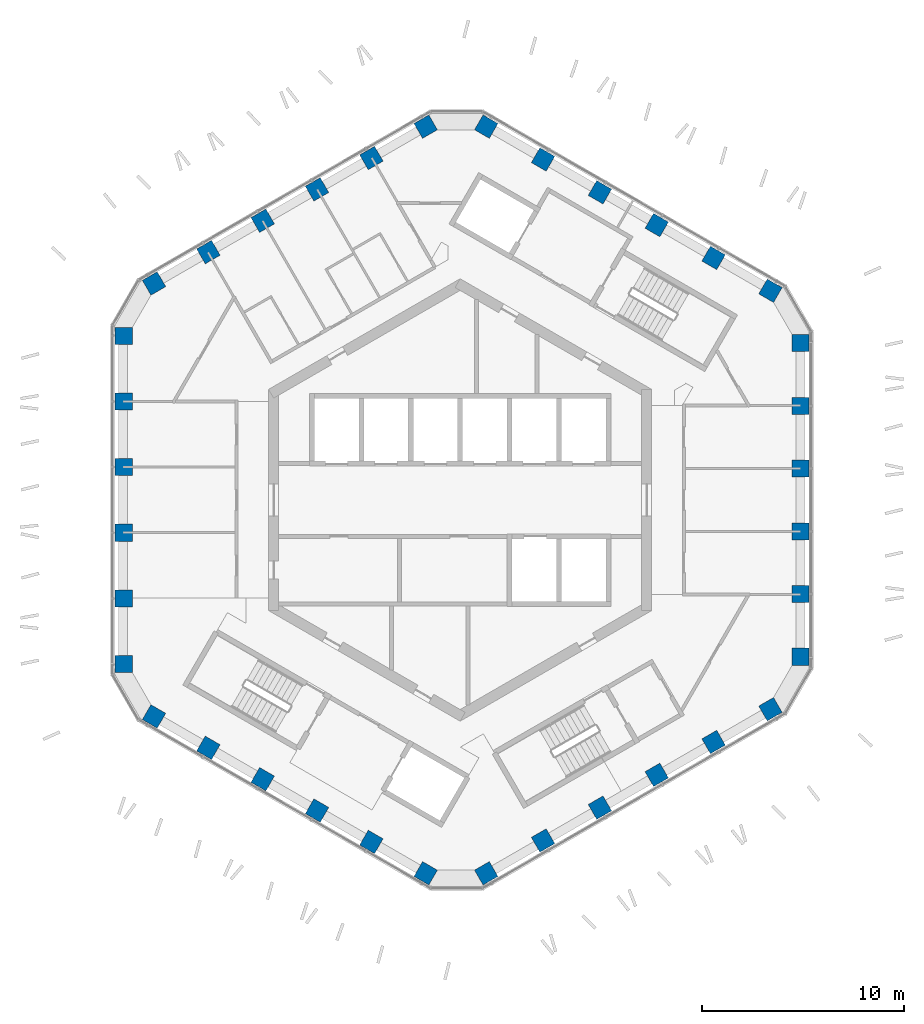
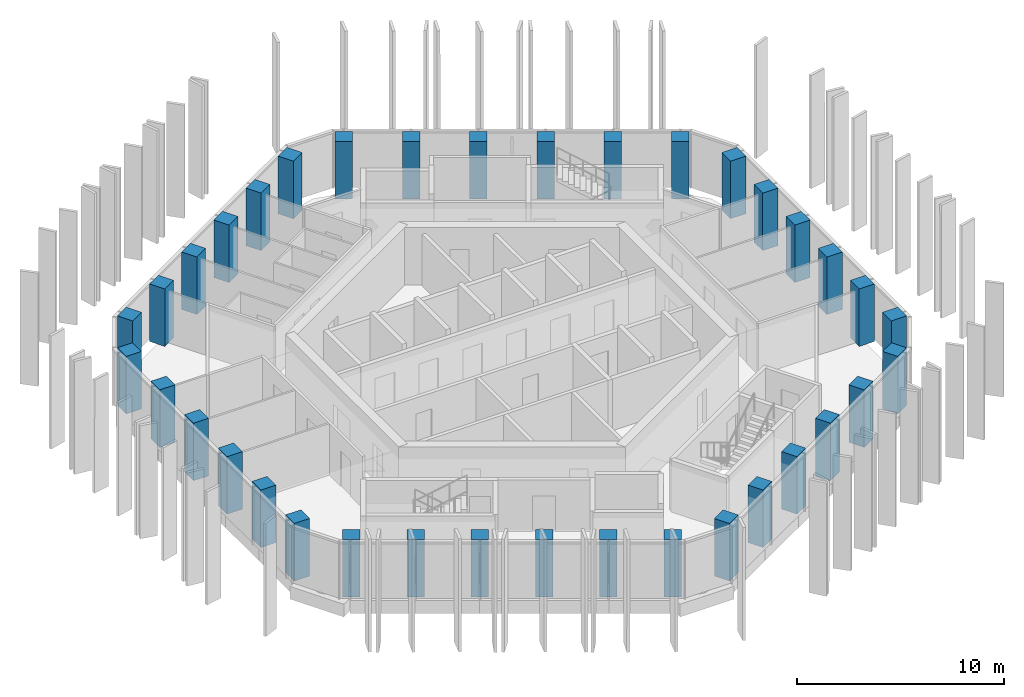
# One storey, part 1 of 18: 36 columns.
"""IFC4 building model written with IfcOpenShell, lengths in metres."""

from ifc_helpers import new_model, si_unit, direction, frame, origin, origin_2d, place, context, subcontext, project, spatial, rectangle, extrude, material, material_profile, profile_set, type_object, element, save


model = new_model("IFC4")

# Units and contexts
model_context = context("Model", 3, precision=1e-05, world=origin(), true_north=direction((0.0, 1.0)))
body_context = subcontext(model_context, "Body", "Model", "MODEL_VIEW")
ifc_project = project(units=[si_unit("LENGTHUNIT", "METRE"), si_unit("AREAUNIT", "SQUARE_METRE"), si_unit("VOLUMEUNIT", "CUBIC_METRE"), si_unit("PLANEANGLEUNIT", "RADIAN"), si_unit("MASSUNIT", "GRAM", prefix="KILO")], contexts=[model_context])

# Site, building, storey
site_placement = place(None, origin())
site = spatial("IfcSite", under=ifc_project, at=site_placement, CompositionType="ELEMENT")
building_placement = place(site_placement, origin())
building = spatial("IfcBuilding", under=site, at=building_placement, Name="Ayvan Gate Tower", CompositionType="ELEMENT")
storey_placement = place(building_placement, frame((0.0, 0.0, 229.10009765625)))
storey = spatial("IfcBuildingStorey", under=building, at=storey_placement, Name="L61", CompositionType="ELEMENT", Elevation=229.10009765625)

# Columns
ifc_material = material(Name="Concrete C50/60", Category="concrete")
ifc_material_profile = material_profile(ifc_material, rectangle(XDim=0.85009765625, YDim=0.85009765625, at=origin_2d()), Name="RC 850x850")
ifc_profile_set = profile_set([ifc_material_profile], Name="Concrete C50/60")
column_type = type_object("IfcColumnType", Name="Tube column RC 850x850 C50/60", PredefinedType="COLUMN", material=ifc_profile_set)
for number, where, z_axis, x_axis, name in (
    (1, (16.887451171875, -7.778076171875, 0.0), (0.0, 0.0, 1.0), (1.0, 0.0, 0.0), "C-T0-0-L61"),
    (2, (16.887451171875, -4.666748046875, 0.0), (0.0, 0.0, 1.0), (1.0, 0.0, 0.0), "C-T0-1-L61"),
    (3, (16.887451171875, -1.5556640625, 0.0), (0.0, 0.0, 1.0), (1.0, 0.0, 0.0), "C-T0-2-L61"),
    (4, (16.887451171875, 1.5556640625, 0.0), (0.0, 0.0, 1.0), (1.0, 0.0, 0.0), "C-T0-3-L61"),
    (5, (16.887451171875, 4.666748046875, 0.0), (0.0, 0.0, 1.0), (1.0, 0.0, 0.0), "C-T0-4-L61"),
    (6, (16.887451171875, 7.778076171875, 0.0), (0.0, 0.0, 1.0), (1.0, 0.0, 0.0), "C-T0-5-L61"),
    (7, (15.387451171875, 10.376220703125, 0.0), (0.0, 0.0, 1.0), (0.5, 0.866025403784, 0.0), "C-T1-0-L61"),
    (8, (12.568359375, 12.003662109375, 0.0), (0.0, 0.0, 1.0), (0.5, 0.866025403784, 0.0), "C-T1-1-L61"),
    (9, (9.74951171875, 13.63134765625, 0.0), (0.0, 0.0, 1.0), (0.5, 0.866025403784, 0.0), "C-T1-2-L61"),
    (10, (6.930419921875, 15.2587890625, 0.0), (0.0, 0.0, 1.0), (0.5, 0.866025403784, 0.0), "C-T1-3-L61"),
    (11, (4.111328125, 16.886474609375, 0.0), (0.0, 0.0, 1.0), (0.5, 0.866025403784, 0.0), "C-T1-4-L61"),
    (12, (1.292236328125, 18.51416015625, 0.0), (0.0, 0.0, 1.0), (0.5, 0.866025403784, 0.0), "C-T1-5-L61"),
    (13, (-1.707763671875, 18.51416015625, 0.0), (0.0, 0.0, 1.0), (-0.5, 0.866025403784, 0.0), "C-T2-0-L61"),
    (14, (-4.402099609375, 16.95849609375, 0.0), (0.0, 0.0, 1.0), (-0.5, 0.866025403784, 0.0), "C-T2-1-L61"),
    (15, (-7.096435546875, 15.40283203125, 0.0), (0.0, 0.0, 1.0), (-0.5, 0.866025403784, 0.0), "C-T2-2-L61"),
    (16, (-9.791015625, 13.84716796875, 0.0), (0.0, 0.0, 1.0), (-0.5, 0.866025403784, 0.0), "C-T2-3-L61"),
    (17, (-12.4853515625, 12.29150390625, 0.0), (0.0, 0.0, 1.0), (-0.5, 0.866025403784, 0.0), "C-T2-4-L61"),
    (18, (-15.1796875, 10.73583984375, 0.0), (0.0, 0.0, 1.0), (-0.5, 0.866025403784, 0.0), "C-T2-5-L61"),
    (19, (-16.6796875, 8.137939453125, 0.0), (0.0, 0.0, 1.0), (-1.0, 0.0, 0.0), "C-T3-0-L61"),
    (20, (-16.6796875, 4.8828125, 0.0), (0.0, 0.0, 1.0), (-1.0, 0.0, 0.0), "C-T3-1-L61"),
    (21, (-16.6796875, 1.627685546875, 0.0), (0.0, 0.0, 1.0), (-1.0, 0.0, 0.0), "C-T3-2-L61"),
    (22, (-16.6796875, -1.627685546875, 0.0), (0.0, 0.0, 1.0), (-1.0, 0.0, 0.0), "C-T3-3-L61"),
    (23, (-16.6796875, -4.8828125, 0.0), (0.0, 0.0, 1.0), (-1.0, 0.0, 0.0), "C-T3-4-L61"),
    (24, (-16.6796875, -8.137939453125, 0.0), (0.0, 0.0, 1.0), (-1.0, 0.0, 0.0), "C-T3-5-L61"),
    (25, (-15.1796875, -10.73583984375, 0.0), (0.0, 0.0, 1.0), (-0.5, -0.866025403784, 0.0), "C-T4-0-L61"),
    (26, (-12.4853515625, -12.29150390625, 0.0), (0.0, 0.0, 1.0), (-0.5, -0.866025403784, 0.0), "C-T4-1-L61"),
    (27, (-9.791015625, -13.84716796875, 0.0), (0.0, 0.0, 1.0), (-0.5, -0.866025403784, 0.0), "C-T4-2-L61"),
    (28, (-7.096435546875, -15.40283203125, 0.0), (0.0, 0.0, 1.0), (-0.5, -0.866025403784, 0.0), "C-T4-3-L61"),
    (29, (-4.402099609375, -16.95849609375, 0.0), (0.0, 0.0, 1.0), (-0.5, -0.866025403784, 0.0), "C-T4-4-L61"),
    (30, (-1.707763671875, -18.51416015625, 0.0), (0.0, 0.0, 1.0), (-0.5, -0.866025403784, 0.0), "C-T4-5-L61"),
    (31, (1.292236328125, -18.51416015625, 0.0), (0.0, 0.0, 1.0), (0.5, -0.866025403784, 0.0), "C-T5-0-L61"),
    (32, (4.111328125, -16.886474609375, 0.0), (0.0, 0.0, 1.0), (0.5, -0.866025403784, 0.0), "C-T5-1-L61"),
    (33, (6.930419921875, -15.2587890625, 0.0), (0.0, 0.0, 1.0), (0.5, -0.866025403784, 0.0), "C-T5-2-L61"),
    (34, (9.74951171875, -13.63134765625, 0.0), (0.0, 0.0, 1.0), (0.5, -0.866025403784, 0.0), "C-T5-3-L61"),
    (35, (12.568359375, -12.003662109375, 0.0), (0.0, 0.0, 1.0), (0.5, -0.866025403784, 0.0), "C-T5-4-L61"),
    (36, (15.387451171875, -10.376220703125, 0.0), (0.0, 0.0, 1.0), (0.5, -0.866025403784, 0.0), "C-T5-5-L61"),
):
    element("IfcColumn", number, at=place(storey_placement, frame(where, z_axis=z_axis, x_axis=x_axis)), inside=storey, type_object=column_type, Name=name, PredefinedType="COLUMN", context=body_context, shape_type="SweptSolid", body=[
        extrude(rectangle(XDim=0.85009765625, YDim=0.85009765625, at=origin_2d()), origin(), (0.0, 0.0, 1.0), 3.39990234375),
    ])

save(model, "model.ifc")
